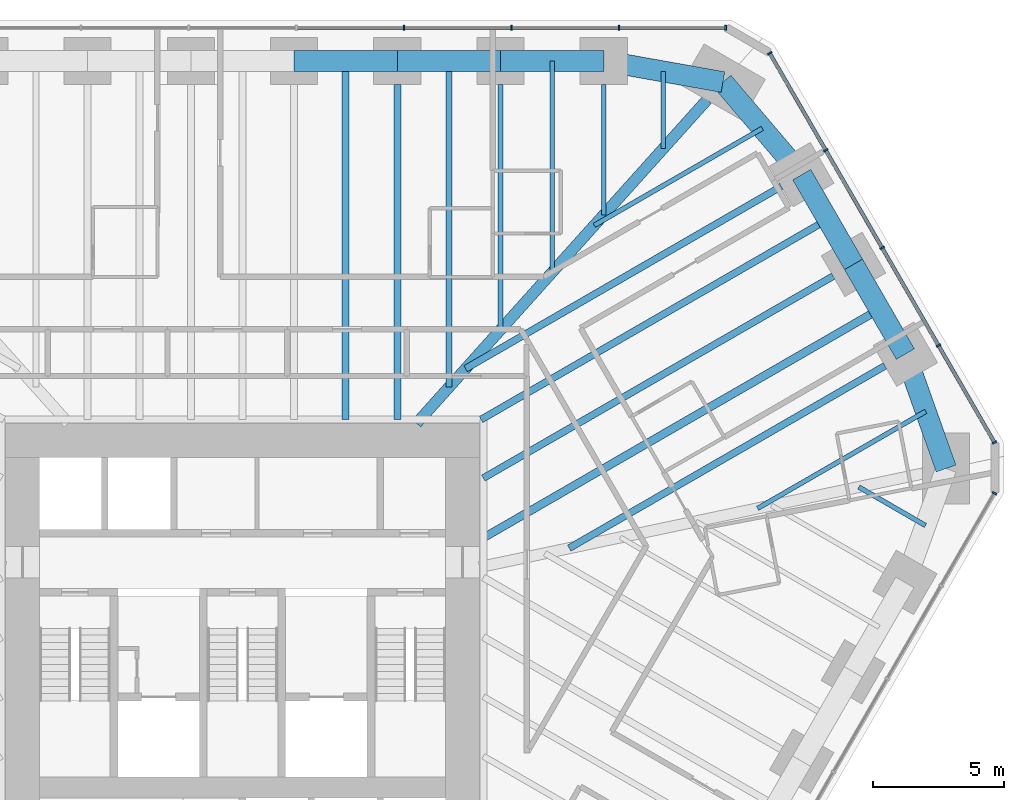
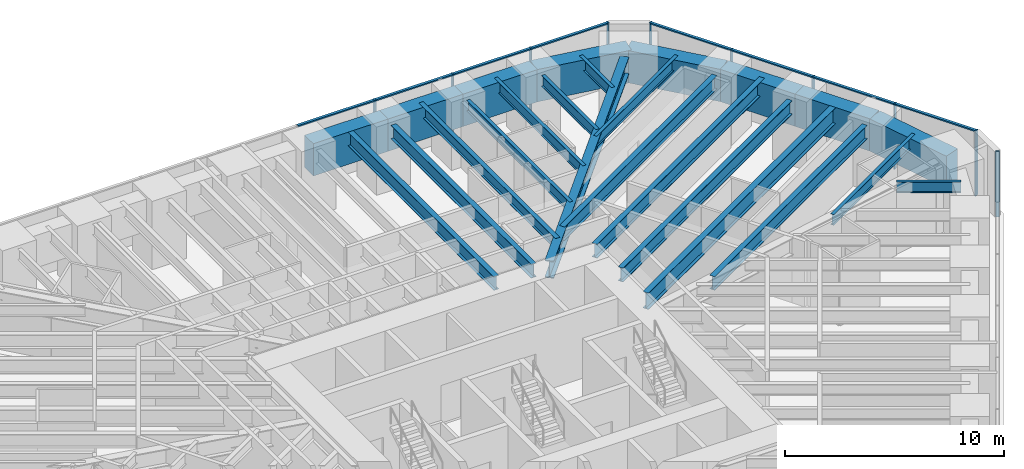
# One storey, part 9 of 17: 24 beams, 18 members, 3 elements without a shape of their own.
"""IFC4 building model written with IfcOpenShell, lengths in metres."""

from ifc_helpers import new_model, si_unit, direction, frame, origin, origin_2d, place, context, subcontext, project, spatial, rectangle, i_section, extrude, material, material_profile, profile_set, type_object, element, aggregate, save


model = new_model("IFC4")

# Units and contexts
model_context = context("Model", 3, precision=1e-05, world=origin(), true_north=direction((0.0, 1.0)))
body_context = subcontext(model_context, "Body", "Model", "MODEL_VIEW")
ifc_project = project(units=[si_unit("LENGTHUNIT", "METRE"), si_unit("AREAUNIT", "SQUARE_METRE"), si_unit("VOLUMEUNIT", "CUBIC_METRE"), si_unit("PLANEANGLEUNIT", "RADIAN"), si_unit("MASSUNIT", "GRAM", prefix="KILO")], contexts=[model_context])

# Site, building, storey
site_placement = place(None, origin())
site = spatial("IfcSite", under=ifc_project, at=site_placement, CompositionType="ELEMENT")
building_placement = place(site_placement, origin())
building = spatial("IfcBuilding", under=site, at=building_placement, Name="Sandreach Pilgrim Tower", CompositionType="ELEMENT")
storey_placement = place(building_placement, frame((0.0, 0.0, 142.39990234375)))
storey = spatial("IfcBuildingStorey", under=building, at=storey_placement, Name="L35", CompositionType="ELEMENT", Elevation=142.39990234375)

# Curtain wall, members
ifc_material_1 = material(Name="Aluminium framed curtain wall", Category="aluminium")
curtain_wall_type = type_object("IfcCurtainWallType", Name="Hotel tower curtain wall", PredefinedType="NOTDEFINED", material=ifc_material_1)
curtain_wall_1_placement = place(storey_placement, origin())
curtain_wall_1 = element("IfcCurtainWall", 1, at=curtain_wall_1_placement, inside=storey, type_object=curtain_wall_type, Name="CW-2 L35 N", PredefinedType="NOTDEFINED")
ifc_material_2 = material(Name="Aluminium extrusion", Category="aluminium")
ifc_material_profile_1 = material_profile(ifc_material_2, rectangle(XDim=0.06494140625, YDim=0.179931640625, at=origin_2d()), Name="CW-2M 65X180")
ifc_profile_set_1 = profile_set([ifc_material_profile_1], Name="Aluminium extrusion")
member_type_1 = type_object("IfcMemberType", Name="CW-2 mullion", PredefinedType="MULLION", material=ifc_profile_set_1)
member_1_placement = place(storey_placement, frame((6.160400390625, 22.493896484375, 0.0), z_axis=(0.0, 0.0, 1.0), x_axis=(1.0, 0.0, 0.0)))
member_1 = element("IfcMember", 2, at=member_1_placement, type_object=member_type_1, Name="CW-2 mullion 7", PredefinedType="MULLION", context=body_context, shape_type="SweptSolid", body=[
    extrude(rectangle(XDim=0.06494140625, YDim=0.179931640625, at=origin_2d()), origin(), (0.0, 0.0, 1.0), 3.64013671875),
])
member_2_placement = place(storey_placement, frame((10.267333984375, 22.493896484375, 0.0), z_axis=(0.0, 0.0, 1.0), x_axis=(1.0, 0.0, 0.0)))
member_2 = element("IfcMember", 3, at=member_2_placement, type_object=member_type_1, Name="CW-2 mullion 8", PredefinedType="MULLION", context=body_context, shape_type="SweptSolid", body=[
    extrude(rectangle(XDim=0.06494140625, YDim=0.179931640625, at=origin_2d()), origin(), (0.0, 0.0, 1.0), 3.64013671875),
])
member_3_placement = place(storey_placement, frame((14.37451171875, 22.493896484375, 0.0), z_axis=(0.0, 0.0, 1.0), x_axis=(1.0, 0.0, 0.0)))
member_3 = element("IfcMember", 4, at=member_3_placement, type_object=member_type_1, Name="CW-2 mullion 9", PredefinedType="MULLION", context=body_context, shape_type="SweptSolid", body=[
    extrude(rectangle(XDim=0.06494140625, YDim=0.179931640625, at=origin_2d()), origin(), (0.0, 0.0, 1.0), 3.64013671875),
])
member_4_placement = place(storey_placement, frame((18.448974609375, 22.493896484375, 0.0), z_axis=(0.0, 0.0, 1.0), x_axis=(1.0, 0.0, 0.0)))
member_4 = element("IfcMember", 5, at=member_4_placement, type_object=member_type_1, Name="CW-2 mullion 10", PredefinedType="MULLION", context=body_context, shape_type="SweptSolid", body=[
    extrude(rectangle(XDim=0.06494140625, YDim=0.179931640625, at=origin_2d()), origin(), (0.0, 0.0, 1.0), 3.64013671875),
])

curtain_wall_2_placement = place(storey_placement, origin())
curtain_wall_2 = element("IfcCurtainWall", 6, at=curtain_wall_2_placement, inside=storey, type_object=curtain_wall_type, Name="CW-2 L35 NE", PredefinedType="NOTDEFINED")
member_5_placement = place(storey_placement, frame((20.125732421875, 21.525634765625, 0.0), z_axis=(0.0, 0.0, 1.0), x_axis=(0.5, -0.866025403784, 0.0)))
member_5 = element("IfcMember", 7, at=member_5_placement, type_object=member_type_1, Name="CW-2 mullion 1", PredefinedType="MULLION", context=body_context, shape_type="SweptSolid", body=[
    extrude(rectangle(XDim=0.06494140625, YDim=0.179931640625, at=origin_2d()), origin(), (0.0, 0.0, 1.0), 3.64013671875),
])
member_6_placement = place(storey_placement, frame((22.262451171875, 17.824951171875, 0.0), z_axis=(0.0, 0.0, 1.0), x_axis=(0.5, -0.866025403784, 0.0)))
member_6 = element("IfcMember", 8, at=member_6_placement, type_object=member_type_1, Name="CW-2 mullion 2", PredefinedType="MULLION", context=body_context, shape_type="SweptSolid", body=[
    extrude(rectangle(XDim=0.06494140625, YDim=0.179931640625, at=origin_2d()), origin(), (0.0, 0.0, 1.0), 3.64013671875),
])
member_7_placement = place(storey_placement, frame((24.415283203125, 14.09619140625, 0.0), z_axis=(0.0, 0.0, 1.0), x_axis=(0.5, -0.866025403784, 0.0)))
member_7 = element("IfcMember", 9, at=member_7_placement, type_object=member_type_1, Name="CW-2 mullion 3", PredefinedType="MULLION", context=body_context, shape_type="SweptSolid", body=[
    extrude(rectangle(XDim=0.06494140625, YDim=0.179931640625, at=origin_2d()), origin(), (0.0, 0.0, 1.0), 3.64013671875),
])
member_8_placement = place(storey_placement, frame((26.568115234375, 10.3671875, 0.0), z_axis=(0.0, 0.0, 1.0), x_axis=(0.5, -0.866025403784, 0.0)))
member_8 = element("IfcMember", 10, at=member_8_placement, type_object=member_type_1, Name="CW-2 mullion 4", PredefinedType="MULLION", context=body_context, shape_type="SweptSolid", body=[
    extrude(rectangle(XDim=0.06494140625, YDim=0.179931640625, at=origin_2d()), origin(), (0.0, 0.0, 1.0), 3.64013671875),
])
member_9_placement = place(storey_placement, frame((28.70458984375, 6.66650390625, 0.0), z_axis=(0.0, 0.0, 1.0), x_axis=(0.5, -0.866025403784, 0.0)))
member_9 = element("IfcMember", 11, at=member_9_placement, type_object=member_type_1, Name="CW-2 mullion 5", PredefinedType="MULLION", context=body_context, shape_type="SweptSolid", body=[
    extrude(rectangle(XDim=0.06494140625, YDim=0.179931640625, at=origin_2d()), origin(), (0.0, 0.0, 1.0), 3.64013671875),
])

# Curtain wall, member
curtain_wall_3_placement = place(storey_placement, origin())
curtain_wall_3 = element("IfcCurtainWall", 12, at=curtain_wall_3_placement, inside=storey, type_object=curtain_wall_type, Name="CW-2 L35 SE", PredefinedType="NOTDEFINED")
member_10_placement = place(storey_placement, frame((28.70458984375, 4.730224609375, 0.0), z_axis=(0.0, 0.0, 1.0), x_axis=(-0.5, -0.866025403784, 0.0)))
member_10 = element("IfcMember", 13, at=member_10_placement, type_object=member_type_1, Name="CW-2 mullion 1", PredefinedType="MULLION", context=body_context, shape_type="SweptSolid", body=[
    extrude(rectangle(XDim=0.06494140625, YDim=0.179931640625, at=origin_2d()), origin(), (0.0, 0.0, 1.0), 3.64013671875),
])
aggregate(curtain_wall_3, [member_10])

# Member
ifc_material_3 = material(Name="Aluminium extrusion", Category="aluminium")
ifc_material_profile_2 = material_profile(ifc_material_3, rectangle(XDim=0.139892578125, YDim=0.070068359375, at=origin_2d()), Name="CW-2T 140X70")
ifc_profile_set_2 = profile_set([ifc_material_profile_2], Name="Aluminium extrusion")
member_type_2 = type_object("IfcMemberType", Name="CW-2 transom", PredefinedType="USERDEFINED", material=ifc_profile_set_2)
member_11_placement = place(storey_placement, frame((2.0859375, 22.493896484375, 3.60498046875), z_axis=(1.0, 0.0, 0.0), x_axis=(0.0, 1.0, 0.0)))
member_11 = element("IfcMember", 14, at=member_11_placement, type_object=member_type_2, Name="CW-2 head transom 6", ObjectType="TRANSOM", PredefinedType="USERDEFINED", context=body_context, shape_type="SweptSolid", body=[
    extrude(rectangle(XDim=0.139892578125, YDim=0.070068359375, at=origin_2d()), origin(), (0.0, 0.0, 1.0), 4.0419921875),
])

member_12_placement = place(storey_placement, frame((6.19287109375, 22.493896484375, 3.60498046875), z_axis=(1.0, 0.0, 0.0), x_axis=(0.0, 1.0, 0.0)))
member_12 = element("IfcMember", 15, at=member_12_placement, type_object=member_type_2, Name="CW-2 head transom 7", ObjectType="TRANSOM", PredefinedType="USERDEFINED", context=body_context, shape_type="SweptSolid", body=[
    extrude(rectangle(XDim=0.139892578125, YDim=0.070068359375, at=origin_2d()), origin(), (0.0, 0.0, 1.0), 4.0419921875),
])

member_13_placement = place(storey_placement, frame((10.300048828125, 22.493896484375, 3.60498046875), z_axis=(1.0, 0.0, 0.0), x_axis=(0.0, 1.0, 0.0)))
member_13 = element("IfcMember", 16, at=member_13_placement, type_object=member_type_2, Name="CW-2 head transom 8", ObjectType="TRANSOM", PredefinedType="USERDEFINED", context=body_context, shape_type="SweptSolid", body=[
    extrude(rectangle(XDim=0.139892578125, YDim=0.070068359375, at=origin_2d()), origin(), (0.0, 0.0, 1.0), 4.041748046875),
])

member_14_placement = place(storey_placement, frame((14.406982421875, 22.493896484375, 3.60498046875), z_axis=(1.0, 0.0, 0.0), x_axis=(0.0, 1.0, 0.0)))
member_14 = element("IfcMember", 17, at=member_14_placement, type_object=member_type_2, Name="CW-2 head transom 9", ObjectType="TRANSOM", PredefinedType="USERDEFINED", context=body_context, shape_type="SweptSolid", body=[
    extrude(rectangle(XDim=0.139892578125, YDim=0.070068359375, at=origin_2d()), origin(), (0.0, 0.0, 1.0), 4.00927734375),
])

aggregate(curtain_wall_1, [member_1, member_2, member_3, member_4, member_11, member_12, member_13, member_14])

member_15_placement = place(storey_placement, frame((20.14208984375, 21.49755859375, 3.60498046875), z_axis=(0.49997020258, -0.86604260665, 0.0), x_axis=(0.86604260665, 0.49997020258, 0.0)))
member_15 = element("IfcMember", 18, at=member_15_placement, type_object=member_type_2, Name="CW-2 head transom 1", ObjectType="TRANSOM", PredefinedType="USERDEFINED", context=body_context, shape_type="SweptSolid", body=[
    extrude(rectangle(XDim=0.139892578125, YDim=0.070068359375, at=origin_2d()), origin(), (0.0, 0.0, 1.0), 4.208251953125),
])

member_16_placement = place(storey_placement, frame((22.278564453125, 17.796875, 3.60498046875), z_axis=(0.499996541496, -0.866027400544, 0.0), x_axis=(0.866027400544, 0.499996541496, 0.0)))
member_16 = element("IfcMember", 19, at=member_16_placement, type_object=member_type_2, Name="CW-2 head transom 2", ObjectType="TRANSOM", PredefinedType="USERDEFINED", context=body_context, shape_type="SweptSolid", body=[
    extrude(rectangle(XDim=0.139892578125, YDim=0.070068359375, at=origin_2d()), origin(), (0.0, 0.0, 1.0), 4.24072265625),
])

member_17_placement = place(storey_placement, frame((24.431396484375, 14.06787109375, 3.60498046875), z_axis=(0.500021471012, -0.866013007135, 0.0), x_axis=(0.866013007135, 0.500021471012, 0.0)))
member_17 = element("IfcMember", 20, at=member_17_placement, type_object=member_type_2, Name="CW-2 head transom 3", ObjectType="TRANSOM", PredefinedType="USERDEFINED", context=body_context, shape_type="SweptSolid", body=[
    extrude(rectangle(XDim=0.139892578125, YDim=0.070068359375, at=origin_2d()), origin(), (0.0, 0.0, 1.0), 4.240478515625),
])

member_18_placement = place(storey_placement, frame((26.584228515625, 10.339111328125, 3.60498046875), z_axis=(0.500038835258, -0.866002981077, 0.0), x_axis=(0.866002981077, 0.500038835258, 0.0)))
member_18 = element("IfcMember", 21, at=member_18_placement, type_object=member_type_2, Name="CW-2 head transom 4", ObjectType="TRANSOM", PredefinedType="USERDEFINED", context=body_context, shape_type="SweptSolid", body=[
    extrude(rectangle(XDim=0.139892578125, YDim=0.070068359375, at=origin_2d()), origin(), (0.0, 0.0, 1.0), 4.208251953125),
])

aggregate(curtain_wall_2, [member_5, member_6, member_7, member_8, member_9, member_15, member_16, member_17, member_18])

# Beams
ifc_material_4 = material(Name="Steel ASTM A992 Grade 50", Category="steel")
ifc_material_profile_3 = material_profile(ifc_material_4, i_section(OverallWidth=0.424072265625, OverallDepth=0.965087890625, WebThickness=0.028564453125, FlangeThickness=0.051025390625, at=origin_2d()), Name="W36X361")
ifc_profile_set_3 = profile_set([ifc_material_profile_3], Name="Steel ASTM A992 Grade 50")
beam_type_1 = type_object("IfcBeamType", Name="Corner girder W36X361", PredefinedType="BEAM", material=ifc_profile_set_3)
beam_1_placement = place(storey_placement, frame((17.738037109375, 19.754150390625, 3.157470703125), z_axis=(-0.66811374471, -0.74405915365, 0.0), x_axis=(0.74405915365, -0.66811374471, 0.0)))
element("IfcBeam", 22, at=beam_1_placement, inside=storey, type_object=beam_type_1, Name="BM L35 CG09", PredefinedType="BEAM", context=body_context, shape_type="SweptSolid", body=[
    extrude(i_section(OverallWidth=0.424072265625, OverallDepth=0.965087890625, WebThickness=0.028564453125, FlangeThickness=0.051025390625, at=origin_2d()), origin(), (0.0, 0.0, 1.0), 16.603759765625),
])
ifc_material_5 = material(Name="Steel ASTM A992 Grade 50", Category="steel")
ifc_material_profile_4 = material_profile(ifc_material_5, i_section(OverallWidth=0.1787109375, OverallDepth=0.60205078125, WebThickness=0.010986328125, FlangeThickness=0.014892578125, at=origin_2d()), Name="W24X62")
ifc_profile_set_4 = profile_set([ifc_material_profile_4], Name="Steel ASTM A992 Grade 50")
beam_type_2 = type_object("IfcBeamType", Name="Floor beam W24X62", PredefinedType="BEAM", material=ifc_profile_set_4)
beam_2_placement = place(storey_placement, frame((9.849853515625, 20.333740234375, 3.339111328125), z_axis=(0.0, -1.0, 0.0), x_axis=(1.0, 0.0, 0.0)))
element("IfcBeam", 23, at=beam_2_placement, inside=storey, type_object=beam_type_2, Name="BM L35 F07", PredefinedType="BEAM", context=body_context, shape_type="SweptSolid", body=[
    extrude(i_section(OverallWidth=0.1787109375, OverallDepth=0.60205078125, WebThickness=0.010986328125, FlangeThickness=0.014892578125, at=origin_2d()), origin(), (0.0, 0.0, 1.0), 9.3642578125),
])
beam_3_placement = place(storey_placement, frame((13.789794921875, 20.333740234375, 3.339111328125), z_axis=(0.0, -1.0, 0.0), x_axis=(1.0, 0.0, 0.0)))
element("IfcBeam", 24, at=beam_3_placement, inside=storey, type_object=beam_type_2, Name="BM L35 F08", PredefinedType="BEAM", context=body_context, shape_type="SweptSolid", body=[
    extrude(i_section(OverallWidth=0.1787109375, OverallDepth=0.60205078125, WebThickness=0.010986328125, FlangeThickness=0.014892578125, at=origin_2d()), origin(), (0.0, 0.0, 1.0), 4.9765625),
])
beam_4_placement = place(storey_placement, frame((11.81982421875, 21.23388671875, 3.339111328125), z_axis=(0.0, -1.0, 0.0), x_axis=(1.0, 0.0, 0.0)))
element("IfcBeam", 25, at=beam_4_placement, inside=storey, type_object=beam_type_2, Name="BM L35 FM07", PredefinedType="BEAM", context=body_context, shape_type="SweptSolid", body=[
    extrude(i_section(OverallWidth=0.1787109375, OverallDepth=0.60205078125, WebThickness=0.010986328125, FlangeThickness=0.014892578125, at=origin_2d()), origin(), (0.0, 0.0, 1.0), 8.070556640625),
])
beam_5_placement = place(storey_placement, frame((16.064697265625, 20.828857421875, 3.339111328125), z_axis=(0.0, -1.0, 0.0), x_axis=(1.0, 0.0, 0.0)))
element("IfcBeam", 26, at=beam_5_placement, inside=storey, type_object=beam_type_2, Name="BM L35 FM08", PredefinedType="BEAM", context=body_context, shape_type="SweptSolid", body=[
    extrude(i_section(OverallWidth=0.1787109375, OverallDepth=0.60205078125, WebThickness=0.010986328125, FlangeThickness=0.014892578125, at=origin_2d()), origin(), (0.0, 0.0, 1.0), 2.938232421875),
])
for number, where, z_axis, x_axis, name in (
    (27, (19.8427734375, 18.65771484375, 3.339111328125), (-0.866025875064, -0.499999183719, 0.0), (0.499999183719, -0.866025875064, 0.0), "BM L35 FM09"),
    (28, (26.079345703125, 7.855712890625, 3.339111328125), (-0.866025875064, -0.499999183719, 0.0), (0.499999183719, -0.866025875064, 0.0), "BM L35 FM12"),
):
    element("IfcBeam", number, at=place(storey_placement, frame(where, z_axis=z_axis, x_axis=x_axis)), inside=storey, type_object=beam_type_2, Name=name, PredefinedType="BEAM", context=body_context, shape_type="SweptSolid", body=[
        extrude(i_section(OverallWidth=0.1787109375, OverallDepth=0.60205078125, WebThickness=0.010986328125, FlangeThickness=0.014892578125, at=origin_2d()), origin(), (0.0, 0.0, 1.0), 7.40771484375),
    ])
beam_6_placement = place(storey_placement, frame((26.070556640625, 3.498046875, 3.339111328125), z_axis=(-0.866051374412, 0.499955014855, 0.0), x_axis=(-0.499955014855, -0.866051374412, 0.0)))
element("IfcBeam", 29, at=beam_6_placement, inside=storey, type_object=beam_type_2, Name="BM L35 FM13", PredefinedType="BEAM", context=body_context, shape_type="SweptSolid", body=[
    extrude(i_section(OverallWidth=0.1787109375, OverallDepth=0.60205078125, WebThickness=0.010986328125, FlangeThickness=0.014892578125, at=origin_2d()), origin(), (0.0, 0.0, 1.0), 2.938232421875),
])
ifc_material_6 = material(Name="Steel ASTM A992 Grade 50", Category="steel")
ifc_material_profile_5 = material_profile(ifc_material_6, i_section(OverallWidth=0.23046875, OverallDepth=0.6171875, WebThickness=0.01318359375, FlangeThickness=0.022216796875, at=origin_2d()), Name="W24X94")
ifc_profile_set_5 = profile_set([ifc_material_profile_5], Name="Steel ASTM A992 Grade 50")
beam_type_3 = type_object("IfcBeamType", Name="Floor beam W24X94", PredefinedType="BEAM", material=ifc_profile_set_5)
beam_7_placement = place(storey_placement, frame((7.8798828125, 21.23388671875, 3.33154296875), z_axis=(0.0, -1.0, 0.0), x_axis=(1.0, 0.0, 0.0)))
element("IfcBeam", 30, at=beam_7_placement, inside=storey, type_object=beam_type_3, Name="BM L35 FM06", PredefinedType="BEAM", context=body_context, shape_type="SweptSolid", body=[
    extrude(i_section(OverallWidth=0.23046875, OverallDepth=0.6171875, WebThickness=0.01318359375, FlangeThickness=0.022216796875, at=origin_2d()), origin(), (0.0, 0.0, 1.0), 12.458251953125),
])
ifc_material_7 = material(Name="Steel ASTM A992 Grade 50", Category="steel")
ifc_material_profile_6 = material_profile(ifc_material_7, i_section(OverallWidth=0.2666015625, OverallDepth=0.761962890625, WebThickness=0.014404296875, FlangeThickness=0.021484375, at=origin_2d()), Name="W30X116")
ifc_profile_set_6 = profile_set([ifc_material_profile_6], Name="Steel ASTM A992 Grade 50")
beam_type_4 = type_object("IfcBeamType", Name="Floor beam W30X116", PredefinedType="BEAM", material=ifc_profile_set_6)
beam_8_placement = place(storey_placement, frame((5.909912109375, 20.333740234375, 3.259033203125), z_axis=(0.0, -1.0, 0.0), x_axis=(1.0, 0.0, 0.0)))
element("IfcBeam", 31, at=beam_8_placement, inside=storey, type_object=beam_type_4, Name="BM L35 F06", PredefinedType="BEAM", context=body_context, shape_type="SweptSolid", body=[
    extrude(i_section(OverallWidth=0.2666015625, OverallDepth=0.761962890625, WebThickness=0.014404296875, FlangeThickness=0.021484375, at=origin_2d()), origin(), (0.0, 0.0, 1.0), 12.790283203125),
])
beam_9_placement = place(storey_placement, frame((20.56689453125, 16.44140625, 3.259033203125), z_axis=(-0.866022263426, -0.500005439221, 0.0), x_axis=(0.500005439221, -0.866022263426, 0.0)))
element("IfcBeam", 32, at=beam_9_placement, inside=storey, type_object=beam_type_4, Name="BM L35 F10", PredefinedType="BEAM", context=body_context, shape_type="SweptSolid", body=[
    extrude(i_section(OverallWidth=0.2666015625, OverallDepth=0.761962890625, WebThickness=0.014404296875, FlangeThickness=0.021484375, at=origin_2d()), origin(), (0.0, 0.0, 1.0), 13.915283203125),
])
beam_10_placement = place(storey_placement, frame((24.522216796875, 9.5908203125, 3.259033203125), z_axis=(-0.866026649588, -0.499997842199, 0.0), x_axis=(0.499997842199, -0.866026649588, 0.0)))
element("IfcBeam", 33, at=beam_10_placement, inside=storey, type_object=beam_type_4, Name="BM L35 F12", PredefinedType="BEAM", context=body_context, shape_type="SweptSolid", body=[
    extrude(i_section(OverallWidth=0.2666015625, OverallDepth=0.761962890625, WebThickness=0.014404296875, FlangeThickness=0.021484375, at=origin_2d()), origin(), (0.0, 0.0, 1.0), 13.91552734375),
])
beam_11_placement = place(storey_placement, frame((3.93994140625, 21.23388671875, 3.259033203125), z_axis=(0.0, -1.0, 0.0), x_axis=(1.0, 0.0, 0.0)))
element("IfcBeam", 34, at=beam_11_placement, inside=storey, type_object=beam_type_4, Name="BM L35 FM05", PredefinedType="BEAM", context=body_context, shape_type="SweptSolid", body=[
    extrude(i_section(OverallWidth=0.2666015625, OverallDepth=0.761962890625, WebThickness=0.014404296875, FlangeThickness=0.021484375, at=origin_2d()), origin(), (0.0, 0.0, 1.0), 13.6904296875),
])
ifc_material_8 = material(Name="Steel ASTM A992 Grade 50", Category="steel")
ifc_material_profile_7 = material_profile(ifc_material_8, i_section(OverallWidth=0.2666015625, OverallDepth=0.77978515625, WebThickness=0.0166015625, FlangeThickness=0.030029296875, at=origin_2d()), Name="W30X148")
ifc_profile_set_7 = profile_set([ifc_material_profile_7], Name="Steel ASTM A992 Grade 50")
beam_type_5 = type_object("IfcBeamType", Name="Floor beam W30X148", PredefinedType="BEAM", material=ifc_profile_set_7)
beam_12_placement = place(storey_placement, frame((22.544677734375, 13.01611328125, 3.250244140625), z_axis=(-0.866029203842, -0.49999341805, 0.0), x_axis=(0.49999341805, -0.866029203842, 0.0)))
element("IfcBeam", 35, at=beam_12_placement, inside=storey, type_object=beam_type_5, Name="BM L35 F11", PredefinedType="BEAM", context=body_context, shape_type="SweptSolid", body=[
    extrude(i_section(OverallWidth=0.2666015625, OverallDepth=0.77978515625, WebThickness=0.0166015625, FlangeThickness=0.030029296875, at=origin_2d()), origin(), (0.0, 0.0, 1.0), 15.416748046875),
])
beam_13_placement = place(storey_placement, frame((22.335205078125, 15.1787109375, 3.250244140625), z_axis=(-0.866028773314, -0.499994163758, 0.0), x_axis=(0.499994163758, -0.866028773314, 0.0)))
element("IfcBeam", 36, at=beam_13_placement, inside=storey, type_object=beam_type_5, Name="BM L35 FM10", PredefinedType="BEAM", context=body_context, shape_type="SweptSolid", body=[
    extrude(i_section(OverallWidth=0.2666015625, OverallDepth=0.77978515625, WebThickness=0.0166015625, FlangeThickness=0.030029296875, at=origin_2d()), origin(), (0.0, 0.0, 1.0), 15.270751953125),
])
ifc_material_9 = material(Name="Steel ASTM A992 Grade 50", Category="steel")
ifc_material_profile_8 = material_profile(ifc_material_9, i_section(OverallWidth=0.3046875, OverallDepth=0.914306640625, WebThickness=0.0166015625, FlangeThickness=0.02587890625, at=origin_2d()), Name="W36X160")
ifc_profile_set_8 = profile_set([ifc_material_profile_8], Name="Steel ASTM A992 Grade 50")
beam_type_6 = type_object("IfcBeamType", Name="Floor beam W36X160", PredefinedType="BEAM", material=ifc_profile_set_8)
beam_14_placement = place(storey_placement, frame((24.312744140625, 11.75341796875, 3.182861328125), z_axis=(-0.866023737483, -0.500002886107, 0.0), x_axis=(0.500002886107, -0.866023737483, 0.0)))
element("IfcBeam", 37, at=beam_14_placement, inside=storey, type_object=beam_type_6, Name="BM L35 FM11", PredefinedType="BEAM", context=body_context, shape_type="SweptSolid", body=[
    extrude(i_section(OverallWidth=0.3046875, OverallDepth=0.914306640625, WebThickness=0.0166015625, FlangeThickness=0.02587890625, at=origin_2d()), origin(), (0.0, 0.0, 1.0), 17.45849609375),
])
ifc_material_10 = material(Name="Concrete 10000 psi", Category="concrete")
ifc_material_profile_9 = material_profile(ifc_material_10, rectangle(XDim=0.800048828125, YDim=1.800048828125, at=origin_2d()), Name="RC800X1800")
ifc_profile_set_9 = profile_set([ifc_material_profile_9], Name="Concrete 10000 psi")
beam_type_7 = type_object("IfcBeamType", Name="Spandrel beam RC800X1800", PredefinedType="SPANDREL", material=ifc_profile_set_9)
for number, where, z_axis, x_axis, name in (
    (38, (1.969970703125, 21.23388671875, 2.739990234375), (1.0, 0.0, 0.0), (0.0, 1.0, 0.0), "BM L35 SP05"),
    (39, (5.909912109375, 21.23388671875, 2.739990234375), (1.0, 0.0, 0.0), (0.0, 1.0, 0.0), "BM L35 SP06"),
    (40, (9.849853515625, 21.23388671875, 2.739990234375), (1.0, 0.0, 0.0), (0.0, 1.0, 0.0), "BM L35 SP07"),
):
    element("IfcBeam", number, at=place(storey_placement, frame(where, z_axis=z_axis, x_axis=x_axis)), inside=storey, type_object=beam_type_7, Name=name, PredefinedType="SPANDREL", context=body_context, shape_type="SweptSolid", body=[
        extrude(rectangle(XDim=0.800048828125, YDim=1.800048828125, at=origin_2d()), origin(), (0.0, 0.0, 1.0), 3.93994140625),
    ])
beam_15_placement = place(storey_placement, frame((13.789794921875, 21.23388671875, 2.739990234375), z_axis=(0.984515938739, -0.175295083699, 0.0), x_axis=(0.175295083699, 0.984515938739, 0.0)))
element("IfcBeam", 41, at=beam_15_placement, inside=storey, type_object=beam_type_7, Name="BM L35 SP08", PredefinedType="SPANDREL", context=body_context, shape_type="SweptSolid", body=[
    extrude(rectangle(XDim=0.800048828125, YDim=1.800048828125, at=origin_2d()), origin(), (0.0, 0.0, 1.0), 4.62109375),
])
beam_16_placement = place(storey_placement, frame((18.33935546875, 20.423828125, 2.739990234375), z_axis=(0.648208888384, -0.761462564425, 0.0), x_axis=(0.761462564425, 0.648208888384, 0.0)))
element("IfcBeam", 42, at=beam_16_placement, inside=storey, type_object=beam_type_7, Name="BM L35 SP09", PredefinedType="SPANDREL", context=body_context, shape_type="SweptSolid", body=[
    extrude(rectangle(XDim=0.800048828125, YDim=1.800048828125, at=origin_2d()), origin(), (0.0, 0.0, 1.0), 4.63916015625),
])
for number, where, z_axis, x_axis, name in (
    (43, (21.346435546875, 16.891357421875, 2.739990234375), (0.499989616998, -0.866031398331, 0.0), (0.866031398331, 0.499989616998, 0.0), "BM L35 SP10"),
    (44, (23.323974609375, 13.466064453125, 2.739990234375), (0.499989616998, -0.866031398331, 0.0), (0.866031398331, 0.499989616998, 0.0), "BM L35 SP11"),
):
    element("IfcBeam", number, at=place(storey_placement, frame(where, z_axis=z_axis, x_axis=x_axis)), inside=storey, type_object=beam_type_7, Name=name, PredefinedType="SPANDREL", context=body_context, shape_type="SweptSolid", body=[
        extrude(rectangle(XDim=0.800048828125, YDim=1.800048828125, at=origin_2d()), origin(), (0.0, 0.0, 1.0), 3.955078125),
    ])
beam_17_placement = place(storey_placement, frame((25.301513671875, 10.040771484375, 2.739990234375), z_axis=(0.335346041399, -0.942095023083, 0.0), x_axis=(0.942095023083, 0.335346041399, 0.0)))
element("IfcBeam", 45, at=beam_17_placement, inside=storey, type_object=beam_type_7, Name="BM L35 SP12", PredefinedType="SPANDREL", context=body_context, shape_type="SweptSolid", body=[
    extrude(rectangle(XDim=0.800048828125, YDim=1.800048828125, at=origin_2d()), origin(), (0.0, 0.0, 1.0), 4.638916015625),
])

save(model, "model.ifc")
